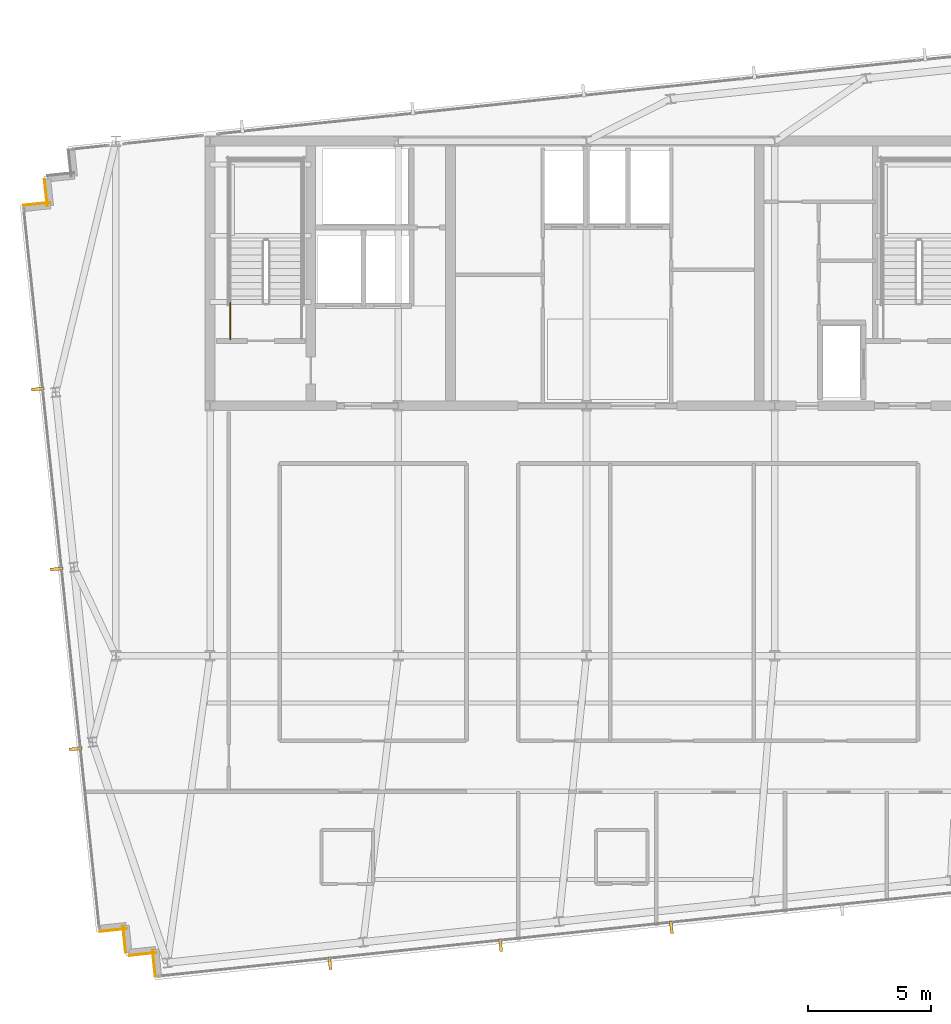
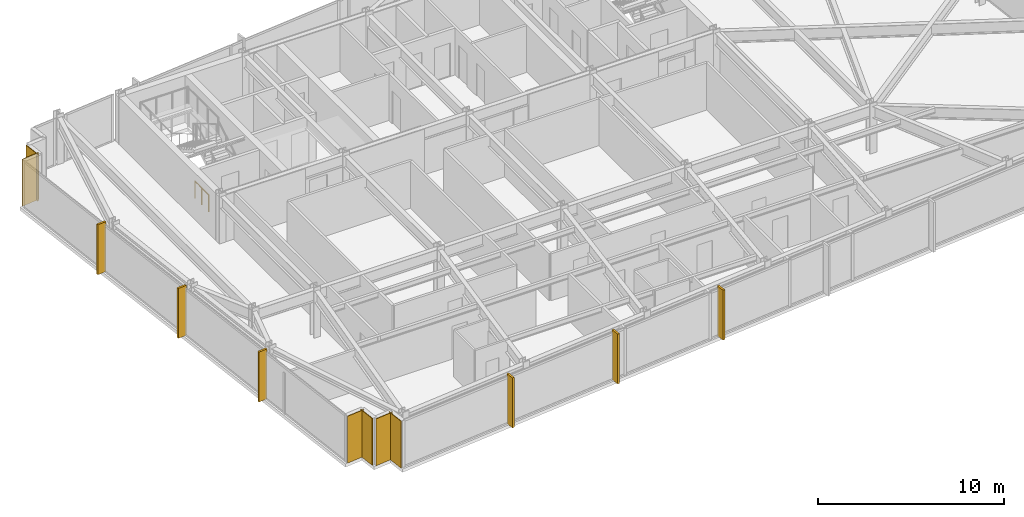
# One storey, part 29 of 32: 6 coverings, 6 shading devices, 1 railing.
"""IFC4 building model written with IfcOpenShell, lengths in metres."""

from ifc_helpers import new_model, si_unit, direction, frame, frame_2d, origin, origin_2d, place, context, subcontext, project, spatial, rectangle, circle, extrude, material, layer, layer_set, type_object, element, save


model = new_model("IFC4")

# Units and contexts
model_context = context("Model", 3, precision=1e-05, world=origin(), true_north=direction((0.0, 1.0)))
body_context = subcontext(model_context, "Body", "Model", "MODEL_VIEW")
ifc_project = project(units=[si_unit("LENGTHUNIT", "METRE"), si_unit("AREAUNIT", "SQUARE_METRE"), si_unit("VOLUMEUNIT", "CUBIC_METRE"), si_unit("PLANEANGLEUNIT", "RADIAN"), si_unit("MASSUNIT", "GRAM", prefix="KILO")], contexts=[model_context])

# Site, building, storey
site_placement = place(None, origin())
site = spatial("IfcSite", under=ifc_project, at=site_placement, CompositionType="ELEMENT")
building_placement = place(site_placement, origin())
building = spatial("IfcBuilding", under=site, at=building_placement, Name="Yelkora Congress Tower", CompositionType="ELEMENT")
storey_placement = place(building_placement, frame((0.0, 0.0, 211.10009765625)))
storey = spatial("IfcBuildingStorey", under=building, at=storey_placement, Name="L58", CompositionType="ELEMENT", Elevation=211.10009765625)

# Coverings
ifc_material_1 = material(Name="Anatolian bush-hammered limestone", Category="masonry")
ifc_layer_1 = layer(ifc_material_1, 0.0400390625)
ifc_layer_set_1 = layer_set([ifc_layer_1], Name="Anatolian bush-hammered limestone")
covering_type = type_object("IfcCoveringType", Name="COV-CLAD-SPANDREL-40", PredefinedType="CLADDING", material=ifc_layer_set_1)
covering_1_placement = place(storey_placement, frame((20.810302734375, 12.114501953125, 0.0), z_axis=(0.0, 0.0, 1.0), x_axis=(-0.104557671117, 0.994518825066, 0.0)))
element("IfcCovering", 1, at=covering_1_placement, inside=storey, type_object=covering_type, Name="L58 Anatolian Limestone Cladding EW-L58-SR01", PredefinedType="CLADDING", context=body_context, shape_type="SweptSolid", body=[
    extrude(rectangle(XDim=1.099853515625, YDim=0.0400390625, at=frame_2d((0.5498046875, 0.0))), origin(), (0.0, 0.0, 1.0), 3.079833984375),
])
for number, where, z_axis, x_axis, name in (
    (2, (20.84375, 13.088134765625, 0.0), (0.0, 0.0, 1.0), (-0.994521251134, -0.104534592565, 0.0), "L58 Anatolian Limestone Cladding EW-L58-SR02"),
    (3, (19.601318359375, 13.09326171875, 0.0), (0.0, 0.0, 1.0), (-0.104534592565, 0.994521251134, 0.0), "L58 Anatolian Limestone Cladding EW-L58-SR03"),
    (4, (19.634765625, 14.067138671875, 0.0), (0.0, 0.0, 1.0), (-0.994521251134, -0.104534592565, 0.0), "L58 Anatolian Limestone Cladding EW-L58-SR04"),
):
    element("IfcCovering", number, at=place(storey_placement, frame(where, z_axis=z_axis, x_axis=x_axis)), inside=storey, type_object=covering_type, Name=name, PredefinedType="CLADDING", context=body_context, shape_type="SweptSolid", body=[
        extrude(rectangle(XDim=1.10009765625, YDim=0.0400390625, at=frame_2d((0.550048828125, 0.0))), origin(), (0.0, 0.0, 1.0), 3.079833984375),
    ])
covering_2_placement = place(storey_placement, frame((15.427001953125, 43.5791015625, 0.0), z_axis=(0.0, 0.0, 1.0), x_axis=(0.994518825066, 0.104557671117, 0.0)))
element("IfcCovering", 5, at=covering_2_placement, inside=storey, type_object=covering_type, Name="L58 Anatolian Limestone Cladding EW-L58-SR06", PredefinedType="CLADDING", context=body_context, shape_type="SweptSolid", body=[
    extrude(rectangle(XDim=1.099853515625, YDim=0.0400390625, at=frame_2d((0.5498046875, 0.0))), origin(), (0.0, 0.0, 1.0), 3.079833984375),
])
covering_3_placement = place(storey_placement, frame((16.400634765625, 43.545654296875, 0.0), z_axis=(0.0, 0.0, 1.0), x_axis=(-0.104315068386, 0.994544300928, 0.0)))
element("IfcCovering", 6, at=covering_3_placement, inside=storey, type_object=covering_type, Name="L58 Anatolian Limestone Cladding EW-L58-SR07", PredefinedType="CLADDING", context=body_context, shape_type="SweptSolid", body=[
    extrude(rectangle(XDim=1.10009765625, YDim=0.0400390625, at=frame_2d((0.550048828125, 0.0))), origin(), (0.0, 0.0, 1.0), 3.079833984375),
])

# Railing
ifc_material_2 = material(Name="Painted galvanised steel stair well guard with vertical infill", Category="steel")
ifc_layer_2 = layer(ifc_material_2, 0.06005859375)
ifc_layer_set_2 = layer_set([ifc_layer_2], Name="Painted galvanised steel stair well guard with vertical infill")
railing_type = type_object("IfcRailingType", Name="RAIL-STAIR-GUARD-1120", PredefinedType="GUARDRAIL", material=ifc_layer_set_2)
railing_placement = place(storey_placement, frame((23.8701171875, 38.1201171875, 0.0)))
element("IfcRailing", 7, at=railing_placement, inside=storey, type_object=railing_type, Name="ST-01 L58 Stair Well Guardrail 9", PredefinedType="GUARDRAIL", context=body_context, shape_type="SweptSolid", body=[
    extrude(circle(Radius=0.02392578125, at=origin_2d()), frame((0.0, 0.0, 1.09619140625), z_axis=(0.0, 1.0, 0.0), x_axis=(-1.0, 0.0, 0.0)), (0.0, 0.0, 1.0), 1.47998046875),
    extrude(circle(Radius=0.02099609375, at=origin_2d()), origin(), (0.0, 0.0, 1.0), 1.072021484375),
    extrude(circle(Radius=0.02099609375, at=origin_2d()), frame((0.0, 0.739990234375, 0.0)), (0.0, 0.0, 1.0), 1.072021484375),
    extrude(circle(Radius=0.02099609375, at=origin_2d()), frame((0.0, 1.47998046875, 0.0)), (0.0, 0.0, 1.0), 1.072021484375),
])

# Shading devices
ifc_material_3 = material(Name="Champagne anodised aluminium", Category="aluminium")
ifc_layer_3 = layer(ifc_material_3, 3.300048828125)
ifc_layer_set_3 = layer_set([ifc_layer_3], Name="Champagne anodised aluminium")
shading_device_type = type_object("IfcShadingDeviceType", Name="SHD-FIN-ALU-520", PredefinedType="USERDEFINED", material=ifc_layer_set_3)
for number, where, z_axis, x_axis, name in (
    (8, (17.556396484375, 21.405029296875, -0.0302734375), (0.0, 0.0, 1.0), (-0.104528463268, 0.994521895368, 0.0), "L58 Vertical Anodised Solar Fin 5-1"),
    (9, (16.784912109375, 28.74462890625, -0.0302734375), (0.0, 0.0, 1.0), (-0.104528463268, 0.994521895368, 0.0), "L58 Vertical Anodised Solar Fin 5-2"),
    (10, (16.013671875, 36.084228515625, -0.0302734375), (0.0, 0.0, 1.0), (-0.104528463268, 0.994521895368, 0.0), "L58 Vertical Anodised Solar Fin 5-3"),
    (11, (41.85888671875, 14.12548828125, -0.0302734375), (0.0, 0.0, 1.0), (-0.994521895368, -0.104528463268, 0.0), "L58 Vertical Anodised Solar Fin 20-4"),
    (12, (34.89453125, 13.3935546875, -0.0302734375), (0.0, 0.0, 1.0), (-0.994521895368, -0.104528463268, 0.0), "L58 Vertical Anodised Solar Fin 20-5"),
    (13, (27.929931640625, 12.66162109375, -0.0302734375), (0.0, 0.0, 1.0), (-0.994521895368, -0.104528463268, 0.0), "L58 Vertical Anodised Solar Fin 20-6"),
):
    element("IfcShadingDevice", number, at=place(storey_placement, frame(where, z_axis=z_axis, x_axis=x_axis)), inside=storey, type_object=shading_device_type, Name=name, ObjectType="FIN", PredefinedType="USERDEFINED", context=body_context, shape_type="SweptSolid", body=[
        extrude(rectangle(XDim=0.1201171875, YDim=0.52001953125, at=origin_2d()), origin(), (0.0, 0.0, 1.0), 3.280029296875),
    ])

save(model, "model.ifc")
